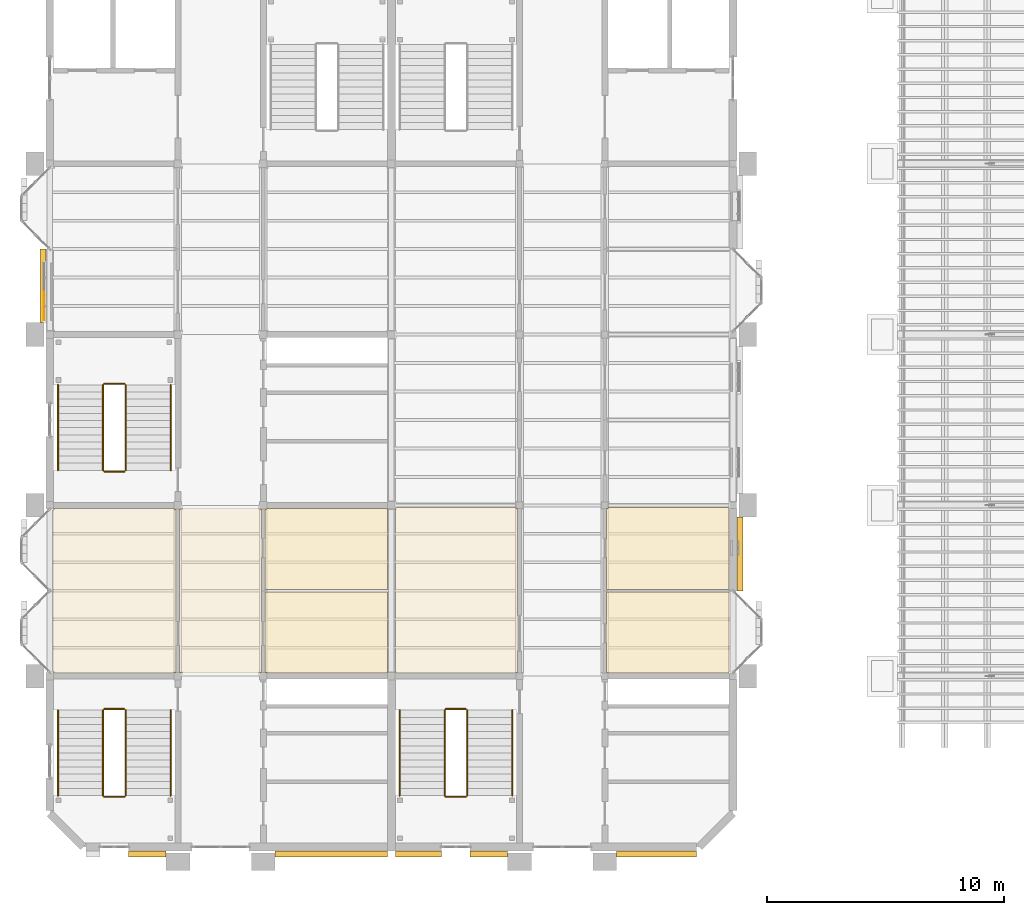
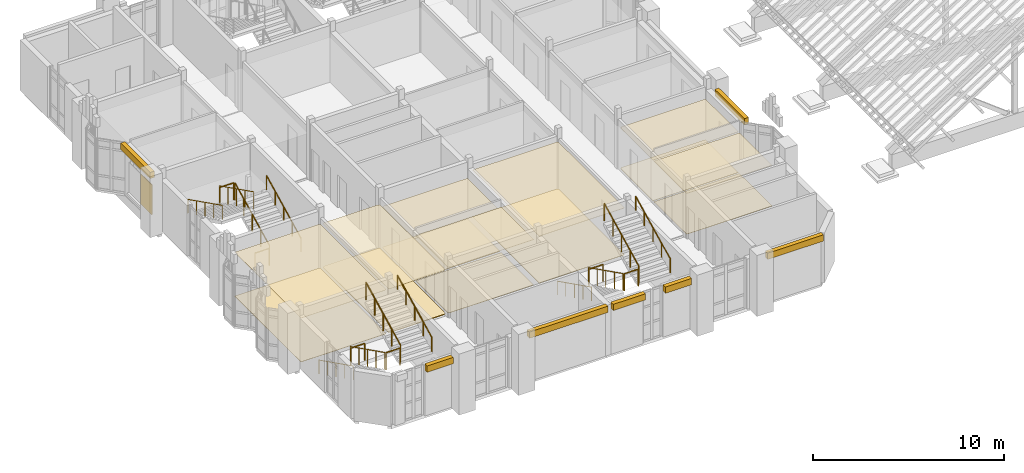
# One storey, part 61 of 71: 22 coverings, 18 railings.
"""IFC4 building model written with IfcOpenShell, lengths in metres."""

import ifcopenshell
import ifcopenshell.guid

model = None  # the IFC model being written
_history = None  # IfcOwnerHistory: only IFC2X3 demands one
_inside = {}  # id of a spatial element -> (the spatial element, [elements in it])
_under = {}  # id of a project, library or spatial element -> (it, [spatial elements below it])
_declared = {}  # id of a project -> (the project, [libraries it declares])
_typed = {}  # id of a type object -> (the type object, [elements of that type])
_made_of = {}  # id of a material, layer set ... -> (it, [elements and type objects made of it])


def new_model(schema):
    """Start an empty IFC model of exactly this schema.

    Asked for "IFC4X3", IfcOpenShell would pick the latest addendum, in which some entities
    have other attributes; the version numbers below select the first issue.
    IFC2X3 requires an IfcOwnerHistory on every rooted entity: one is made here for all.
    """
    global model, _history
    if schema == "IFC4X3":
        model = ifcopenshell.file(schema_version=(4, 3, 0, 0))
    else:
        model = ifcopenshell.file(schema=schema)
    _inside.clear()
    _under.clear()
    _declared.clear()
    _typed.clear()
    _made_of.clear()
    _history = None
    if model.schema == "IFC2X3":
        org = make("IfcOrganization", Name="unknown")
        user = make(
            "IfcPersonAndOrganization",
            ThePerson=make("IfcPerson", FamilyName="unknown"),
            TheOrganization=org,
        )
        app = make(
            "IfcApplication",
            ApplicationDeveloper=org,
            Version="unknown",
            ApplicationFullName="unknown",
            ApplicationIdentifier="unknown",
        )
        _history = make(
            "IfcOwnerHistory",
            OwningUser=user,
            OwningApplication=app,
            ChangeAction="ADDED",
            CreationDate=0,
        )
    return model


def make(cls, **values):
    """One entity of the class cls with the attributes given. An attribute that is None is left unset."""
    return model.create_entity(
        cls, **{name: value for name, value in values.items() if value is not None}
    )


def rooted(cls, **values):
    """An entity with a GlobalId (a new one), such as an element, a storey or a relation."""
    return make(cls, GlobalId=ifcopenshell.guid.new(), OwnerHistory=_history, **values)


def si_unit(unit_type, name, prefix=None):
    """IfcSIUnit, for example si_unit("LENGTHUNIT", "METRE", prefix="MILLI")."""
    return make("IfcSIUnit", UnitType=unit_type, Prefix=prefix, Name=name)


def assignment(units):
    """IfcUnitAssignment: the units of a project."""
    return None if units is None else make("IfcUnitAssignment", Units=units)


def point(xyz):
    """IfcCartesianPoint."""
    return None if xyz is None else make("IfcCartesianPoint", Coordinates=xyz)


def direction(xyz):
    """IfcDirection."""
    return None if xyz is None else make("IfcDirection", DirectionRatios=xyz)


def frame(location, z_axis=None, x_axis=None):
    """IfcAxis2Placement3D, a coordinate frame: its origin and axes. An axis left out is left unset."""
    return make(
        "IfcAxis2Placement3D",
        Location=point(location),
        Axis=direction(z_axis),
        RefDirection=direction(x_axis),
    )


def frame_2d(location, x_axis=None):
    """IfcAxis2Placement2D, a coordinate frame in the plane: its origin and x axis."""
    return make(
        "IfcAxis2Placement2D", Location=point(location), RefDirection=direction(x_axis)
    )


def origin():
    """The frame at (0, 0, 0) with its axes left unset."""
    return frame((0.0, 0.0, 0.0))


def origin_2d():
    """The frame at (0, 0) in the plane with its x axis left unset."""
    return frame_2d((0.0, 0.0))


def place(relative_to, where):
    """IfcLocalPlacement: puts the frame where relative to a parent placement (None: the world)."""
    return make(
        "IfcLocalPlacement", PlacementRelTo=relative_to, RelativePlacement=where
    )


def context(
    kind, dimensions, precision=None, world=None, true_north=None, identifier=None
):
    """IfcGeometricRepresentationContext, for example the 3D "Model" context."""
    return make(
        "IfcGeometricRepresentationContext",
        ContextIdentifier=identifier,
        ContextType=kind,
        CoordinateSpaceDimension=dimensions,
        Precision=precision,
        WorldCoordinateSystem=world,
        TrueNorth=true_north,
    )


def subcontext(parent, identifier, kind, view, scale=None):
    """IfcGeometricRepresentationSubContext, for example "Body" below "Model"."""
    return make(
        "IfcGeometricRepresentationSubContext",
        ContextIdentifier=identifier,
        ContextType=kind,
        ParentContext=parent,
        TargetScale=scale,
        TargetView=view,
    )


def project(units=None, contexts=None):
    """IfcProject with its units and contexts."""
    return rooted(
        "IfcProject",
        Name="project",
        RepresentationContexts=contexts,
        UnitsInContext=assignment(units),
    )


def spatial(cls, under=None, at=None, **own):
    """A site, building, storey or space (cls), placed at a placement, below another one or the project."""
    s = rooted(cls, ObjectPlacement=at, **own)
    if under is not None:
        _under.setdefault(under.id(), (under, []))[1].append(s)
    return s


def polyline(points):
    """IfcPolyline through the points."""
    return make("IfcPolyline", Points=[point(p) for p in points])


def profile(cls, at=None, kind="AREA", **sizes):
    """A parametric profile (cls). Its sizes go by their IFC names, for example OverallWidth=200.0."""
    return make(cls, ProfileType=kind, Position=at, **sizes)


def rectangle(**sizes):
    """IfcRectangleProfileDef."""
    return profile("IfcRectangleProfileDef", **sizes)


def circle(**sizes):
    """IfcCircleProfileDef."""
    return profile("IfcCircleProfileDef", **sizes)


def outline(outer, holes=None, kind="AREA"):
    """IfcArbitraryClosedProfileDef: a profile drawn as a closed curve; with holes, ...WithVoids."""
    if holes is None:
        return make("IfcArbitraryClosedProfileDef", ProfileType=kind, OuterCurve=outer)
    return make(
        "IfcArbitraryProfileDefWithVoids",
        ProfileType=kind,
        OuterCurve=outer,
        InnerCurves=holes,
    )


def extrude(swept, where, along, depth):
    """IfcExtrudedAreaSolid: the profile swept, set in the frame where, extruded along a direction by depth."""
    return make(
        "IfcExtrudedAreaSolid",
        SweptArea=swept,
        Position=where,
        ExtrudedDirection=direction(along),
        Depth=depth,
    )


def shape(context_of_items, identifier, shape_type, items):
    """IfcShapeRepresentation: the items that make up one representation, for example the "Body"."""
    return make(
        "IfcShapeRepresentation",
        ContextOfItems=context_of_items,
        RepresentationIdentifier=identifier,
        RepresentationType=shape_type,
        Items=items,
    )


def material(Name=None, Category=None):
    """IfcMaterial."""
    return make("IfcMaterial", Name=Name, Category=Category)


def layer(
    of_material, thickness, ventilated=None, Name=None, Category=None, Priority=None
):
    """IfcMaterialLayer: one layer of a wall or slab, of a material (None: an air gap)."""
    return make(
        "IfcMaterialLayer",
        Material=of_material,
        LayerThickness=thickness,
        IsVentilated=ventilated,
        Name=Name,
        Category=Category,
        Priority=Priority,
    )


def layer_set(layers, Name=None):
    """IfcMaterialLayerSet."""
    return make("IfcMaterialLayerSet", MaterialLayers=layers, LayerSetName=Name)


def made_of(thing, what):
    """Note that an element or type object is made of a material, layer set ...; save() writes the relation."""
    if what is not None:
        _made_of.setdefault(what.id(), (what, []))[1].append(thing)
    return thing


def type_object(cls, material=None, **own):
    """A type object (cls), such as IfcWallType, which elements share."""
    return made_of(rooted(cls, **own), material)


def element(
    cls,
    number,
    at=None,
    inside=None,
    cuts=None,
    type_object=None,
    material=None,
    context=None,
    identifier="Body",
    shape_type=None,
    held_by="IfcProductDefinitionShape",
    body=None,
    shapes=None,
    **own,
):
    """One element of the class cls, such as IfcWall. Its Tag is "e" and its number.

    at: its placement. inside: the storey or other place that contains it. cuts: it is an
    opening in that element (IfcRelVoidsElement). A single representation is given by context,
    identifier, shape_type and body (its items); several are given by shapes. held_by: the class
    of the entity that holds the representations. save() writes the other relations.
    """
    e = rooted(cls, Tag="e%d" % number, ObjectPlacement=at, **own)
    if body is not None:
        shapes = [shape(context, identifier, shape_type, body)]
    if shapes is not None:
        e.Representation = make(held_by, Representations=shapes)
    if inside is not None:
        _inside.setdefault(inside.id(), (inside, []))[1].append(e)
    if cuts is not None:
        rooted(
            "IfcRelVoidsElement", RelatingBuildingElement=cuts, RelatedOpeningElement=e
        )
    if type_object is not None:
        _typed.setdefault(type_object.id(), (type_object, []))[1].append(e)
    return made_of(e, material)


def aggregate(whole, parts):
    """IfcRelAggregates: a whole, such as a stair, and the parts it consists of."""
    return rooted("IfcRelAggregates", RelatingObject=whole, RelatedObjects=parts)


def save(model, path):
    """Write the relations noted so far, then the file.

    IfcRelAggregates (storeys below a building ...), IfcRelContainedInSpatialStructure (elements
    in a storey), IfcRelDefinesByType, IfcRelAssociatesMaterial and IfcRelDeclares: one each for
    every whole, place, type object, material and project.
    """
    for whole, parts in _under.values():
        aggregate(whole, parts)
    for where, things in _inside.values():
        rooted(
            "IfcRelContainedInSpatialStructure",
            RelatedElements=things,
            RelatingStructure=where,
        )
    for kind, things in _typed.values():
        rooted("IfcRelDefinesByType", RelatedObjects=things, RelatingType=kind)
    for what, things in _made_of.values():
        rooted("IfcRelAssociatesMaterial", RelatedObjects=things, RelatingMaterial=what)
    for by, libraries in _declared.values():
        rooted("IfcRelDeclares", RelatingContext=by, RelatedDefinitions=libraries)
    model.write(path)


model = new_model("IFC4")

# Units and contexts
model_context = context("Model", 3, precision=1e-05, world=origin(), true_north=direction((0.0, 1.0)))
body_context = subcontext(model_context, "Body", "Model", "MODEL_VIEW")
ifc_project = project(units=[si_unit("LENGTHUNIT", "METRE"), si_unit("AREAUNIT", "SQUARE_METRE"), si_unit("VOLUMEUNIT", "CUBIC_METRE"), si_unit("PLANEANGLEUNIT", "RADIAN"), si_unit("MASSUNIT", "GRAM", prefix="KILO")], contexts=[model_context])

# Site, building, storey
site_placement = place(None, origin())
site = spatial("IfcSite", under=ifc_project, at=site_placement, CompositionType="ELEMENT")
building_placement = place(site_placement, origin())
building = spatial("IfcBuilding", under=site, at=building_placement, Name="Mazhai Court Health Centre", CompositionType="ELEMENT")
storey_placement = place(building_placement, frame((0.0, 0.0, 10.199951171875)))
storey = spatial("IfcBuildingStorey", under=building, at=storey_placement, Name="L02", CompositionType="ELEMENT", Elevation=10.199951171875)

# Coverings
ifc_material_1 = material(Name="Clay brick masonry", Category="masonry")
ifc_layer_1 = layer(ifc_material_1, 0.25)
ifc_layer_set_1 = layer_set([ifc_layer_1], Name="BRICK BAND 250")
covering_type_1 = type_object("IfcCoveringType", Name="BRICK BAND 250", PredefinedType="MOLDING", material=ifc_layer_set_1)
covering_1_placement = place(storey_placement, frame((0.0, 0.0, 2.969970703125)))
element("IfcCovering", 1, at=covering_1_placement, inside=storey, type_object=covering_type_1, Name="EB-V2-L02-A3p0-0", PredefinedType="MOLDING", context=body_context, shape_type="SweptSolid", body=[
    extrude(outline(polyline([(6.034912109375, 28.300048828125), (6.034912109375, 31.39990234375), (5.784912109375, 31.39990234375), (5.784912109375, 28.300048828125), (6.034912109375, 28.300048828125)])), origin(), (0.0, 0.0, 1.0), 0.400146484375),
])
covering_2_placement = place(storey_placement, frame((0.0, 0.0, 2.949951171875)))
element("IfcCovering", 2, at=covering_2_placement, inside=storey, type_object=covering_type_1, Name="EB-V2-L02-Sp1-1", PredefinedType="MOLDING", context=body_context, shape_type="SweptSolid", body=[
    extrude(outline(polyline([(11.10009765625, 6.034912109375), (9.52001953125, 6.034912109375), (9.52001953125, 5.784912109375), (11.10009765625, 5.784912109375), (11.10009765625, 6.034912109375)])), origin(), (0.0, 0.0, 1.0), 0.400146484375),
])
covering_3_placement = place(storey_placement, frame((0.0, 0.0, 2.949951171875)))
element("IfcCovering", 3, at=covering_3_placement, inside=storey, type_object=covering_type_1, Name="EB-V2-L02-Sp2-0", PredefinedType="MOLDING", context=body_context, shape_type="SweptSolid", body=[
    extrude(outline(polyline([(20.43505859375, 6.034912109375), (15.699951171875, 6.034912109375), (15.699951171875, 5.784912109375), (20.43505859375, 5.784912109375), (20.43505859375, 6.034912109375)])), origin(), (0.0, 0.0, 1.0), 0.400146484375),
])
covering_4_placement = place(storey_placement, frame((0.0, 0.0, 2.969970703125)))
element("IfcCovering", 4, at=covering_4_placement, inside=storey, type_object=covering_type_1, Name="EB-V5-L02-B1p1-0", PredefinedType="MOLDING", context=body_context, shape_type="SweptSolid", body=[
    extrude(outline(polyline([(35.1650390625, 20.10009765625), (35.1650390625, 17.0), (35.4150390625, 17.0), (35.4150390625, 20.10009765625), (35.1650390625, 20.10009765625)])), origin(), (0.0, 0.0, 1.0), 0.400146484375),
])
covering_5_placement = place(storey_placement, frame((0.0, 0.0, 2.949951171875)))
element("IfcCovering", 5, at=covering_5_placement, inside=storey, type_object=covering_type_1, Name="EB-V5-L02-Sp0-0", PredefinedType="MOLDING", context=body_context, shape_type="SweptSolid", body=[
    extrude(outline(polyline([(22.719970703125, 6.034912109375), (20.764892578125, 6.034912109375), (20.764892578125, 5.784912109375), (22.719970703125, 5.784912109375), (22.719970703125, 6.034912109375)])), origin(), (0.0, 0.0, 1.0), 0.400146484375),
])
covering_6_placement = place(storey_placement, frame((0.0, 0.0, 2.949951171875)))
element("IfcCovering", 6, at=covering_6_placement, inside=storey, type_object=covering_type_1, Name="EB-V5-L02-Sp1-1", PredefinedType="MOLDING", context=body_context, shape_type="SweptSolid", body=[
    extrude(outline(polyline([(25.5, 6.034912109375), (23.919921875, 6.034912109375), (23.919921875, 5.784912109375), (25.5, 5.784912109375), (25.5, 6.034912109375)])), origin(), (0.0, 0.0, 1.0), 0.400146484375),
])
covering_7_placement = place(storey_placement, frame((0.0, 0.0, 2.949951171875)))
element("IfcCovering", 7, at=covering_7_placement, inside=storey, type_object=covering_type_1, Name="EB-V5-L02-Sp2-0", PredefinedType="MOLDING", context=body_context, shape_type="SweptSolid", body=[
    extrude(outline(polyline([(33.468994140625, 6.034912109375), (30.10009765625, 6.034912109375), (30.10009765625, 5.784912109375), (33.468994140625, 5.784912109375), (33.468994140625, 6.034912109375)])), origin(), (0.0, 0.0, 1.0), 0.400146484375),
])
ifc_material_2 = material(Name="Gypsum plasterboard ceiling")
ifc_layer_2 = layer(ifc_material_2, 0.02001953125)
ifc_layer_set_2 = layer_set([ifc_layer_2], Name="CEILING GYPSUM BOARD 20")
covering_type_2 = type_object("IfcCoveringType", Name="CEILING GYPSUM BOARD 20", PredefinedType="CEILING", material=ifc_layer_set_2)
covering_8_placement = place(storey_placement, frame((0.0, 0.0, 2.800048828125)))
element("IfcCovering", 8, at=covering_8_placement, inside=storey, type_object=covering_type_2, Name="ceil-V2-L02-A0-first-phase-recovery", PredefinedType="CEILING", context=body_context, shape_type="SweptSolid", body=[
    extrude(outline(polyline([(11.52490234375, 20.43994140625), (11.43994140625, 20.43994140625), (11.43994140625, 20.47509765625), (6.364990234375, 20.47509765625), (6.364990234375, 13.52490234375), (11.43994140625, 13.52490234375), (11.43994140625, 13.56005859375), (11.52490234375, 13.56005859375), (11.52490234375, 20.43994140625)])), origin(), (0.0, 0.0, 1.0), 0.02001953125),
])
covering_9_placement = place(storey_placement, frame((0.0, 0.0, 2.900146484375)))
element("IfcCovering", 9, at=covering_9_placement, inside=storey, type_object=covering_type_2, Name="ceil-V2-L02-B0-nurse-base", PredefinedType="CEILING", context=body_context, shape_type="SweptSolid", body=[
    extrude(outline(polyline([(15.27490234375, 13.56005859375), (15.360107421875, 13.56005859375), (15.360107421875, 13.52490234375), (20.43505859375, 13.52490234375), (20.43505859375, 16.9375), (15.27490234375, 16.9375), (15.27490234375, 13.56005859375)])), origin(), (0.0, 0.0, 1.0), 0.02001953125),
])
covering_10_placement = place(storey_placement, frame((0.0, 0.0, 2.60009765625)))
element("IfcCovering", 10, at=covering_10_placement, inside=storey, type_object=covering_type_2, Name="ceil-V2-L02-B0-dirty-utility", PredefinedType="CEILING", context=body_context, shape_type="SweptSolid", body=[
    extrude(outline(polyline([(15.360107421875, 20.47509765625), (15.360107421875, 20.43994140625), (15.27490234375, 20.43994140625), (15.27490234375, 17.0625), (20.43505859375, 17.0625), (20.43505859375, 20.47509765625), (15.360107421875, 20.47509765625)])), origin(), (0.0, 0.0, 1.0), 0.02001953125),
])
covering_11_placement = place(storey_placement, frame((0.0, 0.0, 3.0)))
element("IfcCovering", 11, at=covering_11_placement, inside=storey, type_object=covering_type_2, Name="ceil-V5-L02-A0-physiotherapy-gym", PredefinedType="CEILING", context=body_context, shape_type="SweptSolid", body=[
    extrude(outline(polyline([(25.925048828125, 20.4599609375), (25.860107421875, 20.4599609375), (25.860107421875, 20.5), (20.764892578125, 20.5), (20.764892578125, 13.52490234375), (25.860107421875, 13.52490234375), (25.860107421875, 13.5400390625), (25.925048828125, 13.5400390625), (25.925048828125, 20.4599609375)])), origin(), (0.0, 0.0, 1.0), 0.02001953125),
])
covering_12_placement = place(storey_placement, frame((0.0, 0.0, 2.60009765625)))
element("IfcCovering", 12, at=covering_12_placement, inside=storey, type_object=covering_type_2, Name="ceil-V5-L02-B0-pharmacy-store", PredefinedType="CEILING", context=body_context, shape_type="SweptSolid", body=[
    extrude(outline(polyline([(29.675048828125, 13.5400390625), (29.739990234375, 13.5400390625), (29.739990234375, 13.52490234375), (34.8349609375, 13.52490234375), (34.8349609375, 16.949951171875), (29.675048828125, 16.949951171875), (29.675048828125, 13.5400390625)])), origin(), (0.0, 0.0, 1.0), 0.02001953125),
])
covering_13_placement = place(storey_placement, frame((0.0, 0.0, 2.60009765625)))
element("IfcCovering", 13, at=covering_13_placement, inside=storey, type_object=covering_type_2, Name="ceil-V5-L02-B0-medical-records-room", PredefinedType="CEILING", context=body_context, shape_type="SweptSolid", body=[
    extrude(outline(polyline([(29.739990234375, 20.512451171875), (29.739990234375, 20.4599609375), (29.675048828125, 20.4599609375), (29.675048828125, 17.050048828125), (34.8349609375, 17.050048828125), (34.8349609375, 20.512451171875), (29.739990234375, 20.512451171875)])), origin(), (0.0, 0.0, 1.0), 0.02001953125),
])
ifc_material_3 = material(Name="Mineral fibre ceiling tile")
ifc_layer_3 = layer(ifc_material_3, 0.014892578125)
ifc_layer_set_3 = layer_set([ifc_layer_3], Name="CEILING MINERAL FIBRE TILE 15")
covering_type_3 = type_object("IfcCoveringType", Name="CEILING MINERAL FIBRE TILE 15", PredefinedType="CEILING", material=ifc_layer_set_3)
covering_14_placement = place(storey_placement, frame((0.0, 0.0, 2.800048828125)))
element("IfcCovering", 14, at=covering_14_placement, inside=storey, type_object=covering_type_3, Name="ceil-V2-L02-corridor-0", PredefinedType="CEILING", context=body_context, shape_type="SweptSolid", body=[
    extrude(outline(polyline([(15.0400390625, 13.52490234375), (15.0400390625, 13.56005859375), (15.125, 13.56005859375), (15.125, 20.43994140625), (15.0400390625, 20.43994140625), (15.0400390625, 20.47509765625), (11.760009765625, 20.47509765625), (11.760009765625, 20.43994140625), (11.675048828125, 20.43994140625), (11.675048828125, 13.56005859375), (11.760009765625, 13.56005859375), (11.760009765625, 13.52490234375), (15.0400390625, 13.52490234375)])), origin(), (0.0, 0.0, 1.0), 0.014892578125),
])
ifc_material_4 = material(Name="Heavy duty vinyl flooring")
ifc_layer_4 = layer(ifc_material_4, 0.02001953125)
ifc_layer_set_4 = layer_set([ifc_layer_4], Name="FLOOR FINISH HEAVY DUTY VINYL FLOORING 20")
covering_type_4 = type_object("IfcCoveringType", Name="FLOOR FINISH HEAVY DUTY VINYL FLOORING 20", PredefinedType="FLOORING", material=ifc_layer_set_4)
covering_15_placement = place(storey_placement, origin())
element("IfcCovering", 15, at=covering_15_placement, inside=storey, type_object=covering_type_4, Name="floor-V2-L02-A0-first-phase-recovery", PredefinedType="FLOORING", context=body_context, shape_type="SweptSolid", body=[
    extrude(outline(polyline([(11.52490234375, 20.43994140625), (11.43994140625, 20.43994140625), (11.43994140625, 20.47509765625), (6.364990234375, 20.47509765625), (6.364990234375, 13.52490234375), (11.43994140625, 13.52490234375), (11.43994140625, 13.56005859375), (11.52490234375, 13.56005859375), (11.52490234375, 20.43994140625)])), origin(), (0.0, 0.0, 1.0), 0.02001953125),
])
covering_16_placement = place(storey_placement, origin())
element("IfcCovering", 16, at=covering_16_placement, inside=storey, type_object=covering_type_4, Name="floor-V2-L02-B0-dirty-utility", PredefinedType="FLOORING", context=body_context, shape_type="SweptSolid", body=[
    extrude(outline(polyline([(15.360107421875, 20.47509765625), (15.360107421875, 20.43994140625), (15.27490234375, 20.43994140625), (15.27490234375, 17.0625), (20.43505859375, 17.0625), (20.43505859375, 20.47509765625), (15.360107421875, 20.47509765625)])), origin(), (0.0, 0.0, 1.0), 0.02001953125),
])
covering_17_placement = place(storey_placement, origin())
element("IfcCovering", 17, at=covering_17_placement, inside=storey, type_object=covering_type_4, Name="floor-V5-L02-B0-pharmacy-store", PredefinedType="FLOORING", context=body_context, shape_type="SweptSolid", body=[
    extrude(outline(polyline([(29.675048828125, 13.5400390625), (29.739990234375, 13.5400390625), (29.739990234375, 13.52490234375), (34.8349609375, 13.52490234375), (34.8349609375, 16.949951171875), (29.675048828125, 16.949951171875), (29.675048828125, 13.5400390625)])), origin(), (0.0, 0.0, 1.0), 0.02001953125),
])
covering_18_placement = place(storey_placement, origin())
element("IfcCovering", 18, at=covering_18_placement, inside=storey, type_object=covering_type_4, Name="floor-V5-L02-B0-medical-records-room", PredefinedType="FLOORING", context=body_context, shape_type="SweptSolid", body=[
    extrude(outline(polyline([(29.739990234375, 20.512451171875), (29.739990234375, 20.4599609375), (29.675048828125, 20.4599609375), (29.675048828125, 17.050048828125), (34.8349609375, 17.050048828125), (34.8349609375, 20.512451171875), (29.739990234375, 20.512451171875)])), origin(), (0.0, 0.0, 1.0), 0.02001953125),
])
ifc_material_5 = material(Name="Linoleum flooring")
ifc_layer_5 = layer(ifc_material_5, 0.02001953125)
ifc_layer_set_5 = layer_set([ifc_layer_5], Name="FLOOR FINISH LINOLEUM FLOORING 20")
covering_type_5 = type_object("IfcCoveringType", Name="FLOOR FINISH LINOLEUM FLOORING 20", PredefinedType="FLOORING", material=ifc_layer_set_5)
covering_19_placement = place(storey_placement, origin())
element("IfcCovering", 19, at=covering_19_placement, inside=storey, type_object=covering_type_5, Name="floor-V2-L02-B0-nurse-base", PredefinedType="FLOORING", context=body_context, shape_type="SweptSolid", body=[
    extrude(outline(polyline([(15.27490234375, 13.56005859375), (15.360107421875, 13.56005859375), (15.360107421875, 13.52490234375), (20.43505859375, 13.52490234375), (20.43505859375, 16.9375), (15.27490234375, 16.9375), (15.27490234375, 13.56005859375)])), origin(), (0.0, 0.0, 1.0), 0.02001953125),
])
ifc_material_6 = material(Name="Sports rubber flooring")
ifc_layer_6 = layer(ifc_material_6, 0.02490234375)
ifc_layer_set_6 = layer_set([ifc_layer_6], Name="FLOOR FINISH SPORTS RUBBER FLOORING 25")
covering_type_6 = type_object("IfcCoveringType", Name="FLOOR FINISH SPORTS RUBBER FLOORING 25", PredefinedType="FLOORING", material=ifc_layer_set_6)
covering_20_placement = place(storey_placement, origin())
element("IfcCovering", 20, at=covering_20_placement, inside=storey, type_object=covering_type_6, Name="floor-V5-L02-A0-physiotherapy-gym", PredefinedType="FLOORING", context=body_context, shape_type="SweptSolid", body=[
    extrude(outline(polyline([(25.925048828125, 20.4599609375), (25.860107421875, 20.4599609375), (25.860107421875, 20.5), (20.764892578125, 20.5), (20.764892578125, 13.52490234375), (25.860107421875, 13.52490234375), (25.860107421875, 13.5400390625), (25.925048828125, 13.5400390625), (25.925048828125, 20.4599609375)])), origin(), (0.0, 0.0, 1.0), 0.025146484375),
])
ifc_material_7 = material(Name="Terrazzo flooring")
ifc_layer_7 = layer(ifc_material_7, 0.0400390625)
ifc_layer_set_7 = layer_set([ifc_layer_7], Name="FLOOR FINISH TERRAZZO FLOORING 40")
covering_type_7 = type_object("IfcCoveringType", Name="FLOOR FINISH TERRAZZO FLOORING 40", PredefinedType="FLOORING", material=ifc_layer_set_7)
covering_21_placement = place(storey_placement, origin())
element("IfcCovering", 21, at=covering_21_placement, inside=storey, type_object=covering_type_7, Name="floor-V2-L02-corridor-0", PredefinedType="FLOORING", context=body_context, shape_type="SweptSolid", body=[
    extrude(outline(polyline([(15.0400390625, 13.52490234375), (15.0400390625, 13.56005859375), (15.125, 13.56005859375), (15.125, 20.43994140625), (15.0400390625, 20.43994140625), (15.0400390625, 20.47509765625), (11.760009765625, 20.47509765625), (11.760009765625, 20.43994140625), (11.675048828125, 20.43994140625), (11.675048828125, 13.56005859375), (11.760009765625, 13.56005859375), (11.760009765625, 13.52490234375), (15.0400390625, 13.52490234375)])), origin(), (0.0, 0.0, 1.0), 0.0400390625),
])
ifc_material_8 = material(Name="Aluminium louvre", Category="aluminium")
ifc_layer_8 = layer(ifc_material_8, 0.0400390625)
ifc_layer_set_8 = layer_set([ifc_layer_8], Name="SHUTTER LEAF 600x40")
covering_type_8 = type_object("IfcCoveringType", Name="SHUTTER LEAF 600x40", PredefinedType="CLADDING", material=ifc_layer_set_8)
covering_22_placement = place(storey_placement, frame((5.955078125, 29.0, 0.550048828125), z_axis=(0.0, 0.0, 1.0), x_axis=(0.0, 1.0, 0.0)))
element("IfcCovering", 22, at=covering_22_placement, inside=storey, type_object=covering_type_8, Name="LV-V2-L02-A30a", PredefinedType="CLADDING", context=body_context, shape_type="SweptSolid", body=[
    extrude(rectangle(XDim=1.199951171875, YDim=0.0400390625, at=origin_2d()), origin(), (0.0, 0.0, 1.0), 1.89990234375),
])

# Railings
ifc_material_9 = material(Name="Steel IS 2062 E250", Category="steel")
railing_type_1 = type_object("IfcRailingType", Name="STAIR GUARD 1100", PredefinedType="GUARDRAIL", material=ifc_material_9)
railing_1_placement = place(storey_placement, frame((8.445068359375, 11.965087890625, 0.150146484375)))
element("IfcRailing", 23, at=railing_1_placement, inside=storey, type_object=railing_type_1, Name="L02 ST1 stair guard 1", PredefinedType="GUARDRAIL", context=body_context, shape_type="SweptSolid", body=[
    extrude(circle(Radius=0.02392578125, at=origin_2d()), frame((0.0, 0.0, 1.076171875), z_axis=(0.0, -0.894451452574, 0.447165069061), x_axis=(1.0, 0.0, 0.0)), (0.0, 0.0, 1.0), 4.02490234375),
    extrude(circle(Radius=0.02099609375, at=origin_2d()), origin(), (0.0, 0.0, 1.0), 1.052001953125),
    extrude(circle(Radius=0.02099609375, at=origin_2d()), frame((0.0, -0.89990234375, 0.449951171875)), (0.0, 0.0, 1.0), 1.052001953125),
    extrude(circle(Radius=0.02099609375, at=origin_2d()), frame((0.0, -1.800048828125, 0.89990234375)), (0.0, 0.0, 1.0), 1.052001953125),
    extrude(circle(Radius=0.02099609375, at=origin_2d()), frame((0.0, -2.7001953125, 1.349853515625)), (0.0, 0.0, 1.0), 1.052001953125),
    extrude(circle(Radius=0.02099609375, at=origin_2d()), frame((0.0, -3.60009765625, 1.7998046875)), (0.0, 0.0, 1.0), 1.052001953125),
])
railing_2_placement = place(storey_placement, frame((8.4951171875, 8.31494140625, 1.949951171875)))
element("IfcRailing", 24, at=railing_2_placement, inside=storey, type_object=railing_type_1, Name="L02 ST1 stair guard 2", PredefinedType="GUARDRAIL", context=body_context, shape_type="SweptSolid", body=[
    extrude(circle(Radius=0.02392578125, at=origin_2d()), frame((0.0, 0.0, 1.076171875), z_axis=(1.0, 0.0, 0.0), x_axis=(0.0, 1.0, 0.0)), (0.0, 0.0, 1.0), 0.849853515625),
    extrude(circle(Radius=0.02099609375, at=origin_2d()), origin(), (0.0, 0.0, 1.0), 1.052001953125),
    extrude(circle(Radius=0.02099609375, at=origin_2d()), frame((0.849853515625, 0.0, 0.0)), (0.0, 0.0, 1.0), 1.052001953125),
])
railing_3_placement = place(storey_placement, frame((9.39501953125, 8.364990234375, 2.10009765625)))
element("IfcRailing", 25, at=railing_3_placement, inside=storey, type_object=railing_type_1, Name="L02 ST1 stair guard 3", PredefinedType="GUARDRAIL", context=body_context, shape_type="SweptSolid", body=[
    extrude(circle(Radius=0.02392578125, at=origin_2d()), frame((0.0, 0.0, 1.076171875), z_axis=(0.0, 0.894427191, 0.4472135955), x_axis=(-1.0, 0.0, 0.0)), (0.0, 0.0, 1.0), 4.025146484375),
    extrude(circle(Radius=0.02099609375, at=origin_2d()), origin(), (0.0, 0.0, 1.0), 1.052001953125),
    extrude(circle(Radius=0.02099609375, at=origin_2d()), frame((0.0, 0.89990234375, 0.449951171875)), (0.0, 0.0, 1.0), 1.052001953125),
    extrude(circle(Radius=0.02099609375, at=origin_2d()), frame((0.0, 1.800048828125, 0.89990234375)), (0.0, 0.0, 1.0), 1.052001953125),
    extrude(circle(Radius=0.02099609375, at=origin_2d()), frame((0.0, 2.7001953125, 1.35009765625)), (0.0, 0.0, 1.0), 1.052001953125),
    extrude(circle(Radius=0.02099609375, at=origin_2d()), frame((0.0, 3.60009765625, 1.800048828125)), (0.0, 0.0, 1.0), 1.052001953125),
])
railing_4_placement = place(storey_placement, frame((8.4951171875, 12.014892578125, 0.0)))
element("IfcRailing", 26, at=railing_4_placement, inside=storey, type_object=railing_type_1, Name="L02 ST1 stair guard 4", PredefinedType="GUARDRAIL", context=body_context, shape_type="SweptSolid", body=[
    extrude(circle(Radius=0.02392578125, at=origin_2d()), frame((0.0, 0.0, 1.076171875), z_axis=(1.0, 0.0, 0.0), x_axis=(0.0, 1.0, 0.0)), (0.0, 0.0, 1.0), 0.849853515625),
    extrude(circle(Radius=0.02099609375, at=origin_2d()), origin(), (0.0, 0.0, 1.0), 1.052001953125),
    extrude(circle(Radius=0.02099609375, at=origin_2d()), frame((0.849853515625, 0.0, 0.0)), (0.0, 0.0, 1.0), 1.052001953125),
])
railing_5_placement = place(storey_placement, frame((9.39501953125, 22.074951171875, 0.150146484375)))
element("IfcRailing", 27, at=railing_5_placement, inside=storey, type_object=railing_type_1, Name="L02 ST2 stair guard 1", PredefinedType="GUARDRAIL", context=body_context, shape_type="SweptSolid", body=[
    extrude(circle(Radius=0.02392578125, at=origin_2d()), frame((0.0, 0.0, 1.076171875), z_axis=(0.0, 0.894451452574, 0.447165069061), x_axis=(-1.0, 0.0, 0.0)), (0.0, 0.0, 1.0), 4.02490234375),
    extrude(circle(Radius=0.02099609375, at=origin_2d()), origin(), (0.0, 0.0, 1.0), 1.052001953125),
    extrude(circle(Radius=0.02099609375, at=origin_2d()), frame((0.0, 0.89990234375, 0.449951171875)), (0.0, 0.0, 1.0), 1.052001953125),
    extrude(circle(Radius=0.02099609375, at=origin_2d()), frame((0.0, 1.800048828125, 0.89990234375)), (0.0, 0.0, 1.0), 1.052001953125),
    extrude(circle(Radius=0.02099609375, at=origin_2d()), frame((0.0, 2.7001953125, 1.349853515625)), (0.0, 0.0, 1.0), 1.052001953125),
    extrude(circle(Radius=0.02099609375, at=origin_2d()), frame((0.0, 3.60009765625, 1.7998046875)), (0.0, 0.0, 1.0), 1.052001953125),
])
railing_6_placement = place(storey_placement, frame((9.344970703125, 25.72509765625, 1.949951171875)))
element("IfcRailing", 28, at=railing_6_placement, inside=storey, type_object=railing_type_1, Name="L02 ST2 stair guard 2", PredefinedType="GUARDRAIL", context=body_context, shape_type="SweptSolid", body=[
    extrude(circle(Radius=0.02392578125, at=origin_2d()), frame((0.0, 0.0, 1.076171875), z_axis=(-1.0, 0.0, 0.0), x_axis=(0.0, -1.0, 0.0)), (0.0, 0.0, 1.0), 0.849853515625),
    extrude(circle(Radius=0.02099609375, at=origin_2d()), origin(), (0.0, 0.0, 1.0), 1.052001953125),
    extrude(circle(Radius=0.02099609375, at=origin_2d()), frame((-0.849853515625, 0.0, 0.0)), (0.0, 0.0, 1.0), 1.052001953125),
])
railing_7_placement = place(storey_placement, frame((8.445068359375, 25.675048828125, 2.10009765625)))
element("IfcRailing", 29, at=railing_7_placement, inside=storey, type_object=railing_type_1, Name="L02 ST2 stair guard 3", PredefinedType="GUARDRAIL", context=body_context, shape_type="SweptSolid", body=[
    extrude(circle(Radius=0.02392578125, at=origin_2d()), frame((0.0, 0.0, 1.076171875), z_axis=(0.0, -0.894427191, 0.4472135955), x_axis=(1.0, 0.0, 0.0)), (0.0, 0.0, 1.0), 4.025146484375),
    extrude(circle(Radius=0.02099609375, at=origin_2d()), origin(), (0.0, 0.0, 1.0), 1.052001953125),
    extrude(circle(Radius=0.02099609375, at=origin_2d()), frame((0.0, -0.89990234375, 0.449951171875)), (0.0, 0.0, 1.0), 1.052001953125),
    extrude(circle(Radius=0.02099609375, at=origin_2d()), frame((0.0, -1.800048828125, 0.89990234375)), (0.0, 0.0, 1.0), 1.052001953125),
    extrude(circle(Radius=0.02099609375, at=origin_2d()), frame((0.0, -2.7001953125, 1.35009765625)), (0.0, 0.0, 1.0), 1.052001953125),
    extrude(circle(Radius=0.02099609375, at=origin_2d()), frame((0.0, -3.60009765625, 1.800048828125)), (0.0, 0.0, 1.0), 1.052001953125),
])
railing_8_placement = place(storey_placement, frame((9.344970703125, 22.02490234375, 0.0)))
element("IfcRailing", 30, at=railing_8_placement, inside=storey, type_object=railing_type_1, Name="L02 ST2 stair guard 4", PredefinedType="GUARDRAIL", context=body_context, shape_type="SweptSolid", body=[
    extrude(circle(Radius=0.02392578125, at=origin_2d()), frame((0.0, 0.0, 1.076171875), z_axis=(-1.0, 0.0, 0.0), x_axis=(0.0, -1.0, 0.0)), (0.0, 0.0, 1.0), 0.849853515625),
    extrude(circle(Radius=0.02099609375, at=origin_2d()), origin(), (0.0, 0.0, 1.0), 1.052001953125),
    extrude(circle(Radius=0.02099609375, at=origin_2d()), frame((-0.849853515625, 0.0, 0.0)), (0.0, 0.0, 1.0), 1.052001953125),
])
railing_9_placement = place(storey_placement, frame((22.844970703125, 11.965087890625, 0.150146484375)))
element("IfcRailing", 31, at=railing_9_placement, inside=storey, type_object=railing_type_1, Name="L02 ST4 stair guard 1", PredefinedType="GUARDRAIL", context=body_context, shape_type="SweptSolid", body=[
    extrude(circle(Radius=0.02392578125, at=origin_2d()), frame((0.0, 0.0, 1.076171875), z_axis=(0.0, -0.894451452574, 0.447165069061), x_axis=(1.0, 0.0, 0.0)), (0.0, 0.0, 1.0), 4.02490234375),
    extrude(circle(Radius=0.02099609375, at=origin_2d()), origin(), (0.0, 0.0, 1.0), 1.052001953125),
    extrude(circle(Radius=0.02099609375, at=origin_2d()), frame((0.0, -0.89990234375, 0.449951171875)), (0.0, 0.0, 1.0), 1.052001953125),
    extrude(circle(Radius=0.02099609375, at=origin_2d()), frame((0.0, -1.800048828125, 0.89990234375)), (0.0, 0.0, 1.0), 1.052001953125),
    extrude(circle(Radius=0.02099609375, at=origin_2d()), frame((0.0, -2.7001953125, 1.349853515625)), (0.0, 0.0, 1.0), 1.052001953125),
    extrude(circle(Radius=0.02099609375, at=origin_2d()), frame((0.0, -3.60009765625, 1.7998046875)), (0.0, 0.0, 1.0), 1.052001953125),
])
railing_10_placement = place(storey_placement, frame((22.89501953125, 8.31494140625, 1.949951171875)))
element("IfcRailing", 32, at=railing_10_placement, inside=storey, type_object=railing_type_1, Name="L02 ST4 stair guard 2", PredefinedType="GUARDRAIL", context=body_context, shape_type="SweptSolid", body=[
    extrude(circle(Radius=0.02392578125, at=origin_2d()), frame((0.0, 0.0, 1.076171875), z_axis=(1.0, 0.0, 0.0), x_axis=(0.0, 1.0, 0.0)), (0.0, 0.0, 1.0), 0.85009765625),
    extrude(circle(Radius=0.02099609375, at=origin_2d()), origin(), (0.0, 0.0, 1.0), 1.052001953125),
    extrude(circle(Radius=0.02099609375, at=origin_2d()), frame((0.85009765625, 0.0, 0.0)), (0.0, 0.0, 1.0), 1.052001953125),
])
railing_11_placement = place(storey_placement, frame((23.794921875, 8.364990234375, 2.10009765625)))
element("IfcRailing", 33, at=railing_11_placement, inside=storey, type_object=railing_type_1, Name="L02 ST4 stair guard 3", PredefinedType="GUARDRAIL", context=body_context, shape_type="SweptSolid", body=[
    extrude(circle(Radius=0.02392578125, at=origin_2d()), frame((0.0, 0.0, 1.076171875), z_axis=(0.0, 0.894427191, 0.4472135955), x_axis=(-1.0, 0.0, 0.0)), (0.0, 0.0, 1.0), 4.025146484375),
    extrude(circle(Radius=0.02099609375, at=origin_2d()), origin(), (0.0, 0.0, 1.0), 1.052001953125),
    extrude(circle(Radius=0.02099609375, at=origin_2d()), frame((0.0, 0.89990234375, 0.449951171875)), (0.0, 0.0, 1.0), 1.052001953125),
    extrude(circle(Radius=0.02099609375, at=origin_2d()), frame((0.0, 1.800048828125, 0.89990234375)), (0.0, 0.0, 1.0), 1.052001953125),
    extrude(circle(Radius=0.02099609375, at=origin_2d()), frame((0.0, 2.7001953125, 1.35009765625)), (0.0, 0.0, 1.0), 1.052001953125),
    extrude(circle(Radius=0.02099609375, at=origin_2d()), frame((0.0, 3.60009765625, 1.800048828125)), (0.0, 0.0, 1.0), 1.052001953125),
])
railing_12_placement = place(storey_placement, frame((22.89501953125, 12.014892578125, 0.0)))
element("IfcRailing", 34, at=railing_12_placement, inside=storey, type_object=railing_type_1, Name="L02 ST4 stair guard 4", PredefinedType="GUARDRAIL", context=body_context, shape_type="SweptSolid", body=[
    extrude(circle(Radius=0.02392578125, at=origin_2d()), frame((0.0, 0.0, 1.076171875), z_axis=(1.0, 0.0, 0.0), x_axis=(0.0, 1.0, 0.0)), (0.0, 0.0, 1.0), 0.85009765625),
    extrude(circle(Radius=0.02099609375, at=origin_2d()), origin(), (0.0, 0.0, 1.0), 1.052001953125),
    extrude(circle(Radius=0.02099609375, at=origin_2d()), frame((0.85009765625, 0.0, 0.0)), (0.0, 0.0, 1.0), 1.052001953125),
])
ifc_material_10 = material(Name="Steel IS 2062 E250", Category="steel")
railing_type_2 = type_object("IfcRailingType", Name="STAIR HANDRAIL 900", PredefinedType="HANDRAIL", material=ifc_material_10)
railing_13_placement = place(storey_placement, frame((6.544921875, 11.965087890625, 0.150146484375)))
element("IfcRailing", 35, at=railing_13_placement, inside=storey, type_object=railing_type_2, Name="L02 ST1 stair handrail 1", PredefinedType="HANDRAIL", context=body_context, shape_type="SweptSolid", body=[
    extrude(circle(Radius=0.02392578125, at=origin_2d()), frame((0.0, 0.0, 0.8759765625), z_axis=(0.0, -0.894451452574, 0.447165069061), x_axis=(1.0, 0.0, 0.0)), (0.0, 0.0, 1.0), 4.02490234375),
    extrude(circle(Radius=0.02099609375, at=origin_2d()), origin(), (0.0, 0.0, 1.0), 0.851806640625),
    extrude(circle(Radius=0.02099609375, at=origin_2d()), frame((0.0, -0.89990234375, 0.449951171875)), (0.0, 0.0, 1.0), 0.851806640625),
    extrude(circle(Radius=0.02099609375, at=origin_2d()), frame((0.0, -1.800048828125, 0.89990234375)), (0.0, 0.0, 1.0), 0.851806640625),
    extrude(circle(Radius=0.02099609375, at=origin_2d()), frame((0.0, -2.7001953125, 1.349853515625)), (0.0, 0.0, 1.0), 0.851806640625),
    extrude(circle(Radius=0.02099609375, at=origin_2d()), frame((0.0, -3.60009765625, 1.7998046875)), (0.0, 0.0, 1.0), 0.851806640625),
])
railing_14_placement = place(storey_placement, frame((11.294921875, 8.364990234375, 2.10009765625)))
element("IfcRailing", 36, at=railing_14_placement, inside=storey, type_object=railing_type_2, Name="L02 ST1 stair handrail 2", PredefinedType="HANDRAIL", context=body_context, shape_type="SweptSolid", body=[
    extrude(circle(Radius=0.02392578125, at=origin_2d()), frame((0.0, 0.0, 0.8759765625), z_axis=(0.0, 0.894427191, 0.4472135955), x_axis=(-1.0, 0.0, 0.0)), (0.0, 0.0, 1.0), 4.025146484375),
    extrude(circle(Radius=0.02099609375, at=origin_2d()), origin(), (0.0, 0.0, 1.0), 0.851806640625),
    extrude(circle(Radius=0.02099609375, at=origin_2d()), frame((0.0, 0.89990234375, 0.449951171875)), (0.0, 0.0, 1.0), 0.851806640625),
    extrude(circle(Radius=0.02099609375, at=origin_2d()), frame((0.0, 1.800048828125, 0.89990234375)), (0.0, 0.0, 1.0), 0.851806640625),
    extrude(circle(Radius=0.02099609375, at=origin_2d()), frame((0.0, 2.7001953125, 1.35009765625)), (0.0, 0.0, 1.0), 0.851806640625),
    extrude(circle(Radius=0.02099609375, at=origin_2d()), frame((0.0, 3.60009765625, 1.800048828125)), (0.0, 0.0, 1.0), 0.851806640625),
])
railing_15_placement = place(storey_placement, frame((11.294921875, 22.074951171875, 0.150146484375)))
element("IfcRailing", 37, at=railing_15_placement, inside=storey, type_object=railing_type_2, Name="L02 ST2 stair handrail 1", PredefinedType="HANDRAIL", context=body_context, shape_type="SweptSolid", body=[
    extrude(circle(Radius=0.02392578125, at=origin_2d()), frame((0.0, 0.0, 0.8759765625), z_axis=(0.0, 0.894451452574, 0.447165069061), x_axis=(-1.0, 0.0, 0.0)), (0.0, 0.0, 1.0), 4.02490234375),
    extrude(circle(Radius=0.02099609375, at=origin_2d()), origin(), (0.0, 0.0, 1.0), 0.851806640625),
    extrude(circle(Radius=0.02099609375, at=origin_2d()), frame((0.0, 0.89990234375, 0.449951171875)), (0.0, 0.0, 1.0), 0.851806640625),
    extrude(circle(Radius=0.02099609375, at=origin_2d()), frame((0.0, 1.800048828125, 0.89990234375)), (0.0, 0.0, 1.0), 0.851806640625),
    extrude(circle(Radius=0.02099609375, at=origin_2d()), frame((0.0, 2.7001953125, 1.349853515625)), (0.0, 0.0, 1.0), 0.851806640625),
    extrude(circle(Radius=0.02099609375, at=origin_2d()), frame((0.0, 3.60009765625, 1.7998046875)), (0.0, 0.0, 1.0), 0.851806640625),
])
railing_16_placement = place(storey_placement, frame((6.544921875, 25.675048828125, 2.10009765625)))
element("IfcRailing", 38, at=railing_16_placement, inside=storey, type_object=railing_type_2, Name="L02 ST2 stair handrail 2", PredefinedType="HANDRAIL", context=body_context, shape_type="SweptSolid", body=[
    extrude(circle(Radius=0.02392578125, at=origin_2d()), frame((0.0, 0.0, 0.8759765625), z_axis=(0.0, -0.894427191, 0.4472135955), x_axis=(1.0, 0.0, 0.0)), (0.0, 0.0, 1.0), 4.025146484375),
    extrude(circle(Radius=0.02099609375, at=origin_2d()), origin(), (0.0, 0.0, 1.0), 0.851806640625),
    extrude(circle(Radius=0.02099609375, at=origin_2d()), frame((0.0, -0.89990234375, 0.449951171875)), (0.0, 0.0, 1.0), 0.851806640625),
    extrude(circle(Radius=0.02099609375, at=origin_2d()), frame((0.0, -1.800048828125, 0.89990234375)), (0.0, 0.0, 1.0), 0.851806640625),
    extrude(circle(Radius=0.02099609375, at=origin_2d()), frame((0.0, -2.7001953125, 1.35009765625)), (0.0, 0.0, 1.0), 0.851806640625),
    extrude(circle(Radius=0.02099609375, at=origin_2d()), frame((0.0, -3.60009765625, 1.800048828125)), (0.0, 0.0, 1.0), 0.851806640625),
])
railing_17_placement = place(storey_placement, frame((20.945068359375, 11.965087890625, 0.150146484375)))
element("IfcRailing", 39, at=railing_17_placement, inside=storey, type_object=railing_type_2, Name="L02 ST4 stair handrail 1", PredefinedType="HANDRAIL", context=body_context, shape_type="SweptSolid", body=[
    extrude(circle(Radius=0.02392578125, at=origin_2d()), frame((0.0, 0.0, 0.8759765625), z_axis=(0.0, -0.894451452574, 0.447165069061), x_axis=(1.0, 0.0, 0.0)), (0.0, 0.0, 1.0), 4.02490234375),
    extrude(circle(Radius=0.02099609375, at=origin_2d()), origin(), (0.0, 0.0, 1.0), 0.851806640625),
    extrude(circle(Radius=0.02099609375, at=origin_2d()), frame((0.0, -0.89990234375, 0.449951171875)), (0.0, 0.0, 1.0), 0.851806640625),
    extrude(circle(Radius=0.02099609375, at=origin_2d()), frame((0.0, -1.800048828125, 0.89990234375)), (0.0, 0.0, 1.0), 0.851806640625),
    extrude(circle(Radius=0.02099609375, at=origin_2d()), frame((0.0, -2.7001953125, 1.349853515625)), (0.0, 0.0, 1.0), 0.851806640625),
    extrude(circle(Radius=0.02099609375, at=origin_2d()), frame((0.0, -3.60009765625, 1.7998046875)), (0.0, 0.0, 1.0), 0.851806640625),
])
railing_18_placement = place(storey_placement, frame((25.695068359375, 8.364990234375, 2.10009765625)))
element("IfcRailing", 40, at=railing_18_placement, inside=storey, type_object=railing_type_2, Name="L02 ST4 stair handrail 2", PredefinedType="HANDRAIL", context=body_context, shape_type="SweptSolid", body=[
    extrude(circle(Radius=0.02392578125, at=origin_2d()), frame((0.0, 0.0, 0.8759765625), z_axis=(0.0, 0.894427191, 0.4472135955), x_axis=(-1.0, 0.0, 0.0)), (0.0, 0.0, 1.0), 4.025146484375),
    extrude(circle(Radius=0.02099609375, at=origin_2d()), origin(), (0.0, 0.0, 1.0), 0.851806640625),
    extrude(circle(Radius=0.02099609375, at=origin_2d()), frame((0.0, 0.89990234375, 0.449951171875)), (0.0, 0.0, 1.0), 0.851806640625),
    extrude(circle(Radius=0.02099609375, at=origin_2d()), frame((0.0, 1.800048828125, 0.89990234375)), (0.0, 0.0, 1.0), 0.851806640625),
    extrude(circle(Radius=0.02099609375, at=origin_2d()), frame((0.0, 2.7001953125, 1.35009765625)), (0.0, 0.0, 1.0), 0.851806640625),
    extrude(circle(Radius=0.02099609375, at=origin_2d()), frame((0.0, 3.60009765625, 1.800048828125)), (0.0, 0.0, 1.0), 0.851806640625),
])

save(model, "model.ifc")
